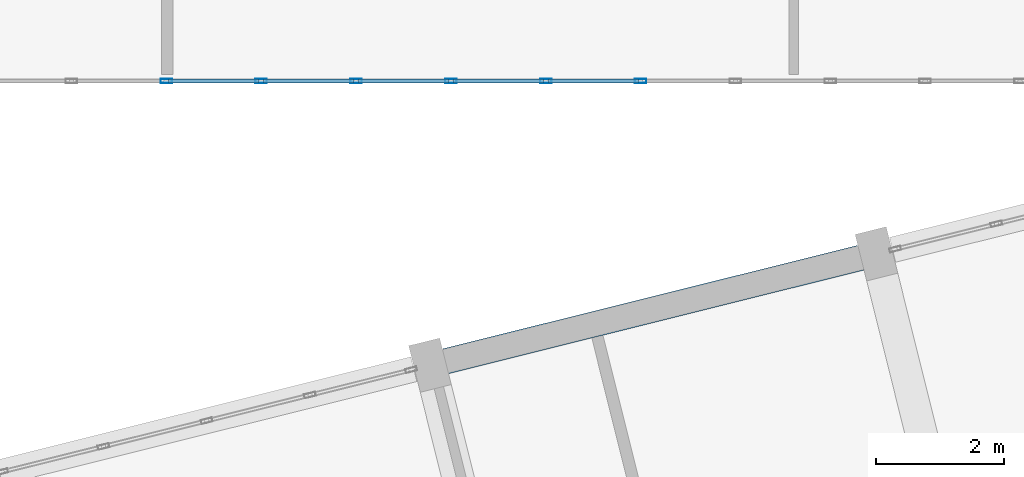
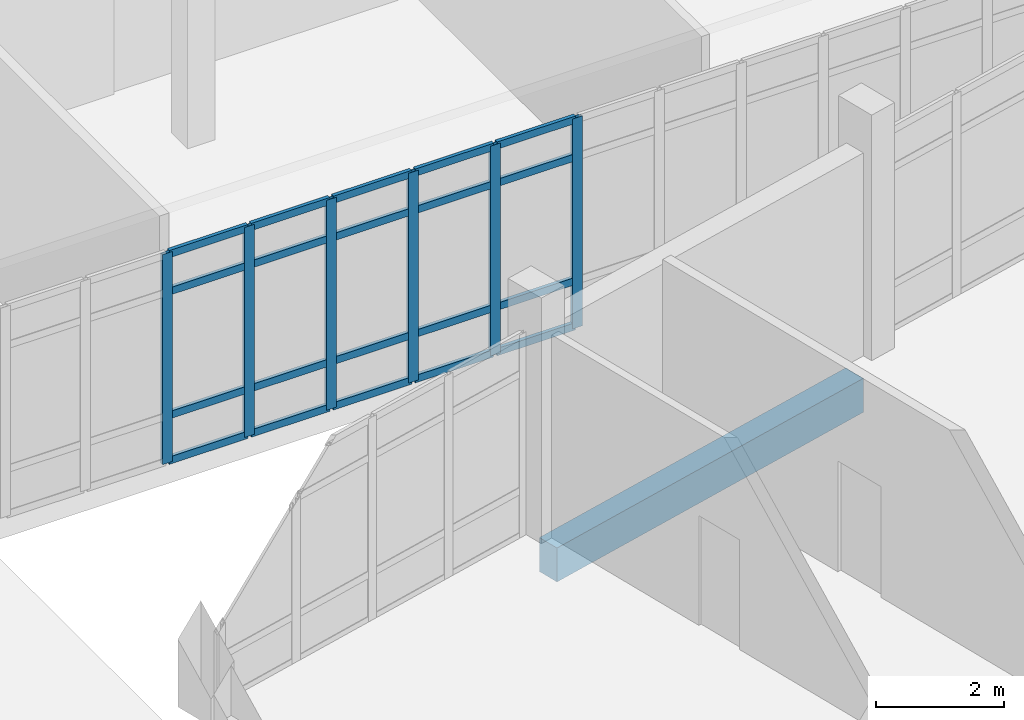
# One storey, part 53 of 173: 26 members, 1 beam, 1 element without a shape of its own.
"""IFC4 building model written with IfcOpenShell, lengths in metres."""

import ifcopenshell
import ifcopenshell.guid

model = None  # the IFC model being written
_history = None  # IfcOwnerHistory: only IFC2X3 demands one
_inside = {}  # id of a spatial element -> (the spatial element, [elements in it])
_under = {}  # id of a project, library or spatial element -> (it, [spatial elements below it])
_declared = {}  # id of a project -> (the project, [libraries it declares])
_typed = {}  # id of a type object -> (the type object, [elements of that type])
_made_of = {}  # id of a material, layer set ... -> (it, [elements and type objects made of it])


def new_model(schema):
    """Start an empty IFC model of exactly this schema.

    Asked for "IFC4X3", IfcOpenShell would pick the latest addendum, in which some entities
    have other attributes; the version numbers below select the first issue.
    IFC2X3 requires an IfcOwnerHistory on every rooted entity: one is made here for all.
    """
    global model, _history
    if schema == "IFC4X3":
        model = ifcopenshell.file(schema_version=(4, 3, 0, 0))
    else:
        model = ifcopenshell.file(schema=schema)
    _inside.clear()
    _under.clear()
    _declared.clear()
    _typed.clear()
    _made_of.clear()
    _history = None
    if model.schema == "IFC2X3":
        org = make("IfcOrganization", Name="unknown")
        user = make(
            "IfcPersonAndOrganization",
            ThePerson=make("IfcPerson", FamilyName="unknown"),
            TheOrganization=org,
        )
        app = make(
            "IfcApplication",
            ApplicationDeveloper=org,
            Version="unknown",
            ApplicationFullName="unknown",
            ApplicationIdentifier="unknown",
        )
        _history = make(
            "IfcOwnerHistory",
            OwningUser=user,
            OwningApplication=app,
            ChangeAction="ADDED",
            CreationDate=0,
        )
    return model


def make(cls, **values):
    """One entity of the class cls with the attributes given. An attribute that is None is left unset."""
    return model.create_entity(
        cls, **{name: value for name, value in values.items() if value is not None}
    )


def rooted(cls, **values):
    """An entity with a GlobalId (a new one), such as an element, a storey or a relation."""
    return make(cls, GlobalId=ifcopenshell.guid.new(), OwnerHistory=_history, **values)


def si_unit(unit_type, name, prefix=None):
    """IfcSIUnit, for example si_unit("LENGTHUNIT", "METRE", prefix="MILLI")."""
    return make("IfcSIUnit", UnitType=unit_type, Prefix=prefix, Name=name)


def assignment(units):
    """IfcUnitAssignment: the units of a project."""
    return None if units is None else make("IfcUnitAssignment", Units=units)


def point(xyz):
    """IfcCartesianPoint."""
    return None if xyz is None else make("IfcCartesianPoint", Coordinates=xyz)


def direction(xyz):
    """IfcDirection."""
    return None if xyz is None else make("IfcDirection", DirectionRatios=xyz)


def frame(location, z_axis=None, x_axis=None):
    """IfcAxis2Placement3D, a coordinate frame: its origin and axes. An axis left out is left unset."""
    return make(
        "IfcAxis2Placement3D",
        Location=point(location),
        Axis=direction(z_axis),
        RefDirection=direction(x_axis),
    )


def frame_2d(location, x_axis=None):
    """IfcAxis2Placement2D, a coordinate frame in the plane: its origin and x axis."""
    return make(
        "IfcAxis2Placement2D", Location=point(location), RefDirection=direction(x_axis)
    )


def origin():
    """The frame at (0, 0, 0) with its axes left unset."""
    return frame((0.0, 0.0, 0.0))


def origin_2d():
    """The frame at (0, 0) in the plane with its x axis left unset."""
    return frame_2d((0.0, 0.0))


def place(relative_to, where):
    """IfcLocalPlacement: puts the frame where relative to a parent placement (None: the world)."""
    return make(
        "IfcLocalPlacement", PlacementRelTo=relative_to, RelativePlacement=where
    )


def context(
    kind, dimensions, precision=None, world=None, true_north=None, identifier=None
):
    """IfcGeometricRepresentationContext, for example the 3D "Model" context."""
    return make(
        "IfcGeometricRepresentationContext",
        ContextIdentifier=identifier,
        ContextType=kind,
        CoordinateSpaceDimension=dimensions,
        Precision=precision,
        WorldCoordinateSystem=world,
        TrueNorth=true_north,
    )


def subcontext(parent, identifier, kind, view, scale=None):
    """IfcGeometricRepresentationSubContext, for example "Body" below "Model"."""
    return make(
        "IfcGeometricRepresentationSubContext",
        ContextIdentifier=identifier,
        ContextType=kind,
        ParentContext=parent,
        TargetScale=scale,
        TargetView=view,
    )


def project(units=None, contexts=None):
    """IfcProject with its units and contexts."""
    return rooted(
        "IfcProject",
        Name="project",
        RepresentationContexts=contexts,
        UnitsInContext=assignment(units),
    )


def spatial(cls, under=None, at=None, **own):
    """A site, building, storey or space (cls), placed at a placement, below another one or the project."""
    s = rooted(cls, ObjectPlacement=at, **own)
    if under is not None:
        _under.setdefault(under.id(), (under, []))[1].append(s)
    return s


def profile(cls, at=None, kind="AREA", **sizes):
    """A parametric profile (cls). Its sizes go by their IFC names, for example OverallWidth=200.0."""
    return make(cls, ProfileType=kind, Position=at, **sizes)


def rectangle(**sizes):
    """IfcRectangleProfileDef."""
    return profile("IfcRectangleProfileDef", **sizes)


def hollow_rectangle(**sizes):
    """IfcRectangleHollowProfileDef."""
    return profile("IfcRectangleHollowProfileDef", **sizes)


def extrude(swept, where, along, depth):
    """IfcExtrudedAreaSolid: the profile swept, set in the frame where, extruded along a direction by depth."""
    return make(
        "IfcExtrudedAreaSolid",
        SweptArea=swept,
        Position=where,
        ExtrudedDirection=direction(along),
        Depth=depth,
    )


def shape(context_of_items, identifier, shape_type, items):
    """IfcShapeRepresentation: the items that make up one representation, for example the "Body"."""
    return make(
        "IfcShapeRepresentation",
        ContextOfItems=context_of_items,
        RepresentationIdentifier=identifier,
        RepresentationType=shape_type,
        Items=items,
    )


def material(Name=None, Category=None):
    """IfcMaterial."""
    return make("IfcMaterial", Name=Name, Category=Category)


def layer(
    of_material, thickness, ventilated=None, Name=None, Category=None, Priority=None
):
    """IfcMaterialLayer: one layer of a wall or slab, of a material (None: an air gap)."""
    return make(
        "IfcMaterialLayer",
        Material=of_material,
        LayerThickness=thickness,
        IsVentilated=ventilated,
        Name=Name,
        Category=Category,
        Priority=Priority,
    )


def layer_set(layers, Name=None):
    """IfcMaterialLayerSet."""
    return make("IfcMaterialLayerSet", MaterialLayers=layers, LayerSetName=Name)


def material_profile(
    of_material, cross_section, Name=None, Category=None, Priority=None
):
    """IfcMaterialProfile: a cross section and its material."""
    return make(
        "IfcMaterialProfile",
        Name=Name,
        Material=of_material,
        Profile=cross_section,
        Priority=Priority,
        Category=Category,
    )


def profile_set(profiles, Name=None, composite=None):
    """IfcMaterialProfileSet."""
    return make(
        "IfcMaterialProfileSet",
        Name=Name,
        MaterialProfiles=profiles,
        CompositeProfile=composite,
    )


def made_of(thing, what):
    """Note that an element or type object is made of a material, layer set ...; save() writes the relation."""
    if what is not None:
        _made_of.setdefault(what.id(), (what, []))[1].append(thing)
    return thing


def type_object(cls, material=None, **own):
    """A type object (cls), such as IfcWallType, which elements share."""
    return made_of(rooted(cls, **own), material)


def element(
    cls,
    number,
    at=None,
    inside=None,
    cuts=None,
    type_object=None,
    material=None,
    context=None,
    identifier="Body",
    shape_type=None,
    held_by="IfcProductDefinitionShape",
    body=None,
    shapes=None,
    **own,
):
    """One element of the class cls, such as IfcWall. Its Tag is "e" and its number.

    at: its placement. inside: the storey or other place that contains it. cuts: it is an
    opening in that element (IfcRelVoidsElement). A single representation is given by context,
    identifier, shape_type and body (its items); several are given by shapes. held_by: the class
    of the entity that holds the representations. save() writes the other relations.
    """
    e = rooted(cls, Tag="e%d" % number, ObjectPlacement=at, **own)
    if body is not None:
        shapes = [shape(context, identifier, shape_type, body)]
    if shapes is not None:
        e.Representation = make(held_by, Representations=shapes)
    if inside is not None:
        _inside.setdefault(inside.id(), (inside, []))[1].append(e)
    if cuts is not None:
        rooted(
            "IfcRelVoidsElement", RelatingBuildingElement=cuts, RelatedOpeningElement=e
        )
    if type_object is not None:
        _typed.setdefault(type_object.id(), (type_object, []))[1].append(e)
    return made_of(e, material)


def aggregate(whole, parts):
    """IfcRelAggregates: a whole, such as a stair, and the parts it consists of."""
    return rooted("IfcRelAggregates", RelatingObject=whole, RelatedObjects=parts)


def save(model, path):
    """Write the relations noted so far, then the file.

    IfcRelAggregates (storeys below a building ...), IfcRelContainedInSpatialStructure (elements
    in a storey), IfcRelDefinesByType, IfcRelAssociatesMaterial and IfcRelDeclares: one each for
    every whole, place, type object, material and project.
    """
    for whole, parts in _under.values():
        aggregate(whole, parts)
    for where, things in _inside.values():
        rooted(
            "IfcRelContainedInSpatialStructure",
            RelatedElements=things,
            RelatingStructure=where,
        )
    for kind, things in _typed.values():
        rooted("IfcRelDefinesByType", RelatedObjects=things, RelatingType=kind)
    for what, things in _made_of.values():
        rooted("IfcRelAssociatesMaterial", RelatedObjects=things, RelatingMaterial=what)
    for by, libraries in _declared.values():
        rooted("IfcRelDeclares", RelatingContext=by, RelatedDefinitions=libraries)
    model.write(path)


model = new_model("IFC4")

# Units and contexts
model_context = context("Model", 3, precision=1e-05, world=origin(), true_north=direction((0.0, 1.0)))
body_context = subcontext(model_context, "Body", "Model", "MODEL_VIEW")
ifc_project = project(units=[si_unit("LENGTHUNIT", "METRE"), si_unit("AREAUNIT", "SQUARE_METRE"), si_unit("VOLUMEUNIT", "CUBIC_METRE"), si_unit("PLANEANGLEUNIT", "RADIAN"), si_unit("MASSUNIT", "GRAM", prefix="KILO")], contexts=[model_context])

# Site, building, storey
site_placement = place(None, origin())
site = spatial("IfcSite", under=ifc_project, at=site_placement, CompositionType="ELEMENT")
building_placement = place(site_placement, origin())
building = spatial("IfcBuilding", under=site, at=building_placement, Name="Mawjan Specialist Oncology Clinic", CompositionType="ELEMENT")
storey_placement = place(building_placement, origin())
storey = spatial("IfcBuildingStorey", under=building, at=storey_placement, Name="L00", CompositionType="ELEMENT", Elevation=0.0)

# Curtain wall, members
ifc_material_1 = material(Name="Unitised spectrally selective aluminium curtain wall", Category="aluminium")
ifc_layer = layer(ifc_material_1, 0.179931640625, Name="Unitised spectrally selective aluminium curtain wall", Category="aluminium")
ifc_layer_set = layer_set([ifc_layer], Name="Unitised spectrally selective aluminium curtain wall")
curtain_wall_type = type_object("IfcCurtainWallType", Name="CW-20", PredefinedType="NOTDEFINED", material=ifc_layer_set)
curtain_wall_placement = place(storey_placement, origin())
curtain_wall = element("IfcCurtainWall", 1, at=curtain_wall_placement, inside=storey, type_object=curtain_wall_type, Name="L00 Unitised Curtain Wall CW-L00-036", PredefinedType="NOTDEFINED")
ifc_material_2 = material(Name="Thermally broken aluminium 6063-T6", Category="aluminium")
ifc_material_profile_1 = material_profile(ifc_material_2, hollow_rectangle(XDim=0.06494140625, YDim=0.179931640625, WallThickness=0.00390625, at=origin_2d()), Name="ALU MULLION 180x65x4", Category="aluminium")
ifc_profile_set_1 = profile_set([ifc_material_profile_1], Name="Thermally broken aluminium 6063-T6")
member_type_1 = type_object("IfcMemberType", Name="CW-M180", PredefinedType="MULLION", material=ifc_profile_set_1)
member_1_placement = place(storey_placement, frame((126.605224609375, 45.800048828125, 0.0), z_axis=(0.0, 0.0, 1.0), x_axis=(0.0, -1.0, 0.0)))
member_1 = element("IfcMember", 2, at=member_1_placement, type_object=member_type_1, Name="CW-20 mullion 9", PredefinedType="MULLION", context=body_context, shape_type="SweptSolid", body=[
    extrude(hollow_rectangle(XDim=0.06494140625, YDim=0.179931640625, WallThickness=0.00390625, at=origin_2d()), origin(), (0.0, 0.0, 1.0), 4.01953125),
])
member_2_placement = place(storey_placement, frame((125.12109375, 45.800048828125, 0.0), z_axis=(0.0, 0.0, 1.0), x_axis=(0.0, -1.0, 0.0)))
member_2 = element("IfcMember", 3, at=member_2_placement, type_object=member_type_1, Name="CW-20 mullion 10", PredefinedType="MULLION", context=body_context, shape_type="SweptSolid", body=[
    extrude(hollow_rectangle(XDim=0.06494140625, YDim=0.179931640625, WallThickness=0.00390625, at=origin_2d()), origin(), (0.0, 0.0, 1.0), 4.01953125),
])
member_3_placement = place(storey_placement, frame((123.63671875, 45.800048828125, 0.0), z_axis=(0.0, 0.0, 1.0), x_axis=(0.0, -1.0, 0.0)))
member_3 = element("IfcMember", 4, at=member_3_placement, type_object=member_type_1, Name="CW-20 mullion 11", PredefinedType="MULLION", context=body_context, shape_type="SweptSolid", body=[
    extrude(hollow_rectangle(XDim=0.06494140625, YDim=0.179931640625, WallThickness=0.00390625, at=origin_2d()), origin(), (0.0, 0.0, 1.0), 4.01953125),
])
member_4_placement = place(storey_placement, frame((122.15234375, 45.800048828125, 0.0), z_axis=(0.0, 0.0, 1.0), x_axis=(0.0, -1.0, 0.0)))
member_4 = element("IfcMember", 5, at=member_4_placement, type_object=member_type_1, Name="CW-20 mullion 12", PredefinedType="MULLION", context=body_context, shape_type="SweptSolid", body=[
    extrude(hollow_rectangle(XDim=0.06494140625, YDim=0.179931640625, WallThickness=0.00390625, at=origin_2d()), origin(), (0.0, 0.0, 1.0), 4.01953125),
])
member_5_placement = place(storey_placement, frame((120.66796875, 45.800048828125, 0.0), z_axis=(0.0, 0.0, 1.0), x_axis=(0.0, -1.0, 0.0)))
member_5 = element("IfcMember", 6, at=member_5_placement, type_object=member_type_1, Name="CW-20 mullion 13", PredefinedType="MULLION", context=body_context, shape_type="SweptSolid", body=[
    extrude(hollow_rectangle(XDim=0.06494140625, YDim=0.179931640625, WallThickness=0.00390625, at=origin_2d()), origin(), (0.0, 0.0, 1.0), 4.01953125),
])
member_6_placement = place(storey_placement, frame((119.18359375, 45.800048828125, 0.0), z_axis=(0.0, 0.0, 1.0), x_axis=(0.0, -1.0, 0.0)))
member_6 = element("IfcMember", 7, at=member_6_placement, type_object=member_type_1, Name="CW-20 mullion 14", PredefinedType="MULLION", context=body_context, shape_type="SweptSolid", body=[
    extrude(hollow_rectangle(XDim=0.06494140625, YDim=0.179931640625, WallThickness=0.00390625, at=origin_2d()), origin(), (0.0, 0.0, 1.0), 4.01953125),
])
ifc_material_3 = material(Name="Thermally broken aluminium 6063-T6", Category="aluminium")
ifc_material_profile_2 = material_profile(ifc_material_3, hollow_rectangle(XDim=0.06494140625, YDim=0.139892578125, WallThickness=0.00390625, at=origin_2d()), Name="ALU TRANSOM 140x65x4", Category="aluminium")
ifc_profile_set_2 = profile_set([ifc_material_profile_2], Name="Thermally broken aluminium 6063-T6")
member_type_2 = type_object("IfcMemberType", Name="CW-T140", PredefinedType="USERDEFINED", material=ifc_profile_set_2)
member_7_placement = place(storey_placement, frame((126.57275390625, 45.800048828125, 0.032470703125), z_axis=(-1.0, 0.0, 0.0), x_axis=(0.0, -1.0, 0.0)))
member_7 = element("IfcMember", 8, at=member_7_placement, type_object=member_type_2, Name="CW-20 transom 9.1", ObjectType="TRANSOM", PredefinedType="USERDEFINED", context=body_context, shape_type="SweptSolid", body=[
    extrude(hollow_rectangle(XDim=0.06494140625, YDim=0.139892578125, WallThickness=0.00390625, at=origin_2d()), origin(), (0.0, 0.0, 1.0), 1.419189453125),
])
member_8_placement = place(storey_placement, frame((126.57275390625, 45.800048828125, 0.89990234375), z_axis=(-1.0, 0.0, 0.0), x_axis=(0.0, -1.0, 0.0)))
member_8 = element("IfcMember", 9, at=member_8_placement, type_object=member_type_2, Name="CW-20 transom 9.2", ObjectType="TRANSOM", PredefinedType="USERDEFINED", context=body_context, shape_type="SweptSolid", body=[
    extrude(hollow_rectangle(XDim=0.06494140625, YDim=0.139892578125, WallThickness=0.00390625, at=origin_2d()), origin(), (0.0, 0.0, 1.0), 1.419189453125),
])
member_9_placement = place(storey_placement, frame((126.57275390625, 45.800048828125, 3.26953125), z_axis=(-1.0, 0.0, 0.0), x_axis=(0.0, -1.0, 0.0)))
member_9 = element("IfcMember", 10, at=member_9_placement, type_object=member_type_2, Name="CW-20 transom 9.3", ObjectType="TRANSOM", PredefinedType="USERDEFINED", context=body_context, shape_type="SweptSolid", body=[
    extrude(hollow_rectangle(XDim=0.06494140625, YDim=0.139892578125, WallThickness=0.00390625, at=origin_2d()), origin(), (0.0, 0.0, 1.0), 1.419189453125),
])
member_10_placement = place(storey_placement, frame((126.57275390625, 45.800048828125, 3.987060546875), z_axis=(-1.0, 0.0, 0.0), x_axis=(0.0, -1.0, 0.0)))
member_10 = element("IfcMember", 11, at=member_10_placement, type_object=member_type_2, Name="CW-20 transom 9.4", ObjectType="TRANSOM", PredefinedType="USERDEFINED", context=body_context, shape_type="SweptSolid", body=[
    extrude(hollow_rectangle(XDim=0.06494140625, YDim=0.139892578125, WallThickness=0.00390625, at=origin_2d()), origin(), (0.0, 0.0, 1.0), 1.419189453125),
])
member_11_placement = place(storey_placement, frame((125.08837890625, 45.800048828125, 0.032470703125), z_axis=(-1.0, 0.0, 0.0), x_axis=(0.0, -1.0, 0.0)))
member_11 = element("IfcMember", 12, at=member_11_placement, type_object=member_type_2, Name="CW-20 transom 10.1", ObjectType="TRANSOM", PredefinedType="USERDEFINED", context=body_context, shape_type="SweptSolid", body=[
    extrude(hollow_rectangle(XDim=0.06494140625, YDim=0.139892578125, WallThickness=0.00390625, at=origin_2d()), origin(), (0.0, 0.0, 1.0), 1.419189453125),
])
member_12_placement = place(storey_placement, frame((125.08837890625, 45.800048828125, 0.89990234375), z_axis=(-1.0, 0.0, 0.0), x_axis=(0.0, -1.0, 0.0)))
member_12 = element("IfcMember", 13, at=member_12_placement, type_object=member_type_2, Name="CW-20 transom 10.2", ObjectType="TRANSOM", PredefinedType="USERDEFINED", context=body_context, shape_type="SweptSolid", body=[
    extrude(hollow_rectangle(XDim=0.06494140625, YDim=0.139892578125, WallThickness=0.00390625, at=origin_2d()), origin(), (0.0, 0.0, 1.0), 1.419189453125),
])
member_13_placement = place(storey_placement, frame((125.08837890625, 45.800048828125, 3.26953125), z_axis=(-1.0, 0.0, 0.0), x_axis=(0.0, -1.0, 0.0)))
member_13 = element("IfcMember", 14, at=member_13_placement, type_object=member_type_2, Name="CW-20 transom 10.3", ObjectType="TRANSOM", PredefinedType="USERDEFINED", context=body_context, shape_type="SweptSolid", body=[
    extrude(hollow_rectangle(XDim=0.06494140625, YDim=0.139892578125, WallThickness=0.00390625, at=origin_2d()), origin(), (0.0, 0.0, 1.0), 1.419189453125),
])
member_14_placement = place(storey_placement, frame((125.08837890625, 45.800048828125, 3.987060546875), z_axis=(-1.0, 0.0, 0.0), x_axis=(0.0, -1.0, 0.0)))
member_14 = element("IfcMember", 15, at=member_14_placement, type_object=member_type_2, Name="CW-20 transom 10.4", ObjectType="TRANSOM", PredefinedType="USERDEFINED", context=body_context, shape_type="SweptSolid", body=[
    extrude(hollow_rectangle(XDim=0.06494140625, YDim=0.139892578125, WallThickness=0.00390625, at=origin_2d()), origin(), (0.0, 0.0, 1.0), 1.419189453125),
])
member_15_placement = place(storey_placement, frame((123.604248046875, 45.800048828125, 0.032470703125), z_axis=(-1.0, 0.0, 0.0), x_axis=(0.0, -1.0, 0.0)))
member_15 = element("IfcMember", 16, at=member_15_placement, type_object=member_type_2, Name="CW-20 transom 11.1", ObjectType="TRANSOM", PredefinedType="USERDEFINED", context=body_context, shape_type="SweptSolid", body=[
    extrude(hollow_rectangle(XDim=0.06494140625, YDim=0.139892578125, WallThickness=0.00390625, at=origin_2d()), origin(), (0.0, 0.0, 1.0), 1.41943359375),
])
member_16_placement = place(storey_placement, frame((123.604248046875, 45.800048828125, 0.89990234375), z_axis=(-1.0, 0.0, 0.0), x_axis=(0.0, -1.0, 0.0)))
member_16 = element("IfcMember", 17, at=member_16_placement, type_object=member_type_2, Name="CW-20 transom 11.2", ObjectType="TRANSOM", PredefinedType="USERDEFINED", context=body_context, shape_type="SweptSolid", body=[
    extrude(hollow_rectangle(XDim=0.06494140625, YDim=0.139892578125, WallThickness=0.00390625, at=origin_2d()), origin(), (0.0, 0.0, 1.0), 1.41943359375),
])
member_17_placement = place(storey_placement, frame((123.604248046875, 45.800048828125, 3.26953125), z_axis=(-1.0, 0.0, 0.0), x_axis=(0.0, -1.0, 0.0)))
member_17 = element("IfcMember", 18, at=member_17_placement, type_object=member_type_2, Name="CW-20 transom 11.3", ObjectType="TRANSOM", PredefinedType="USERDEFINED", context=body_context, shape_type="SweptSolid", body=[
    extrude(hollow_rectangle(XDim=0.06494140625, YDim=0.139892578125, WallThickness=0.00390625, at=origin_2d()), origin(), (0.0, 0.0, 1.0), 1.41943359375),
])
member_18_placement = place(storey_placement, frame((123.604248046875, 45.800048828125, 3.987060546875), z_axis=(-1.0, 0.0, 0.0), x_axis=(0.0, -1.0, 0.0)))
member_18 = element("IfcMember", 19, at=member_18_placement, type_object=member_type_2, Name="CW-20 transom 11.4", ObjectType="TRANSOM", PredefinedType="USERDEFINED", context=body_context, shape_type="SweptSolid", body=[
    extrude(hollow_rectangle(XDim=0.06494140625, YDim=0.139892578125, WallThickness=0.00390625, at=origin_2d()), origin(), (0.0, 0.0, 1.0), 1.41943359375),
])
member_19_placement = place(storey_placement, frame((122.119873046875, 45.800048828125, 0.032470703125), z_axis=(-1.0, 0.0, 0.0), x_axis=(0.0, -1.0, 0.0)))
member_19 = element("IfcMember", 20, at=member_19_placement, type_object=member_type_2, Name="CW-20 transom 12.1", ObjectType="TRANSOM", PredefinedType="USERDEFINED", context=body_context, shape_type="SweptSolid", body=[
    extrude(hollow_rectangle(XDim=0.06494140625, YDim=0.139892578125, WallThickness=0.00390625, at=origin_2d()), origin(), (0.0, 0.0, 1.0), 1.41943359375),
])
member_20_placement = place(storey_placement, frame((122.119873046875, 45.800048828125, 0.89990234375), z_axis=(-1.0, 0.0, 0.0), x_axis=(0.0, -1.0, 0.0)))
member_20 = element("IfcMember", 21, at=member_20_placement, type_object=member_type_2, Name="CW-20 transom 12.2", ObjectType="TRANSOM", PredefinedType="USERDEFINED", context=body_context, shape_type="SweptSolid", body=[
    extrude(hollow_rectangle(XDim=0.06494140625, YDim=0.139892578125, WallThickness=0.00390625, at=origin_2d()), origin(), (0.0, 0.0, 1.0), 1.41943359375),
])
member_21_placement = place(storey_placement, frame((122.119873046875, 45.800048828125, 3.26953125), z_axis=(-1.0, 0.0, 0.0), x_axis=(0.0, -1.0, 0.0)))
member_21 = element("IfcMember", 22, at=member_21_placement, type_object=member_type_2, Name="CW-20 transom 12.3", ObjectType="TRANSOM", PredefinedType="USERDEFINED", context=body_context, shape_type="SweptSolid", body=[
    extrude(hollow_rectangle(XDim=0.06494140625, YDim=0.139892578125, WallThickness=0.00390625, at=origin_2d()), origin(), (0.0, 0.0, 1.0), 1.41943359375),
])
member_22_placement = place(storey_placement, frame((122.119873046875, 45.800048828125, 3.987060546875), z_axis=(-1.0, 0.0, 0.0), x_axis=(0.0, -1.0, 0.0)))
member_22 = element("IfcMember", 23, at=member_22_placement, type_object=member_type_2, Name="CW-20 transom 12.4", ObjectType="TRANSOM", PredefinedType="USERDEFINED", context=body_context, shape_type="SweptSolid", body=[
    extrude(hollow_rectangle(XDim=0.06494140625, YDim=0.139892578125, WallThickness=0.00390625, at=origin_2d()), origin(), (0.0, 0.0, 1.0), 1.41943359375),
])
member_23_placement = place(storey_placement, frame((120.635498046875, 45.800048828125, 0.032470703125), z_axis=(-1.0, 0.0, 0.0), x_axis=(0.0, -1.0, 0.0)))
member_23 = element("IfcMember", 24, at=member_23_placement, type_object=member_type_2, Name="CW-20 transom 13.1", ObjectType="TRANSOM", PredefinedType="USERDEFINED", context=body_context, shape_type="SweptSolid", body=[
    extrude(hollow_rectangle(XDim=0.06494140625, YDim=0.139892578125, WallThickness=0.00390625, at=origin_2d()), origin(), (0.0, 0.0, 1.0), 1.41943359375),
])
member_24_placement = place(storey_placement, frame((120.635498046875, 45.800048828125, 0.89990234375), z_axis=(-1.0, 0.0, 0.0), x_axis=(0.0, -1.0, 0.0)))
member_24 = element("IfcMember", 25, at=member_24_placement, type_object=member_type_2, Name="CW-20 transom 13.2", ObjectType="TRANSOM", PredefinedType="USERDEFINED", context=body_context, shape_type="SweptSolid", body=[
    extrude(hollow_rectangle(XDim=0.06494140625, YDim=0.139892578125, WallThickness=0.00390625, at=origin_2d()), origin(), (0.0, 0.0, 1.0), 1.41943359375),
])
member_25_placement = place(storey_placement, frame((120.635498046875, 45.800048828125, 3.26953125), z_axis=(-1.0, 0.0, 0.0), x_axis=(0.0, -1.0, 0.0)))
member_25 = element("IfcMember", 26, at=member_25_placement, type_object=member_type_2, Name="CW-20 transom 13.3", ObjectType="TRANSOM", PredefinedType="USERDEFINED", context=body_context, shape_type="SweptSolid", body=[
    extrude(hollow_rectangle(XDim=0.06494140625, YDim=0.139892578125, WallThickness=0.00390625, at=origin_2d()), origin(), (0.0, 0.0, 1.0), 1.41943359375),
])
member_26_placement = place(storey_placement, frame((120.635498046875, 45.800048828125, 3.987060546875), z_axis=(-1.0, 0.0, 0.0), x_axis=(0.0, -1.0, 0.0)))
member_26 = element("IfcMember", 27, at=member_26_placement, type_object=member_type_2, Name="CW-20 transom 13.4", ObjectType="TRANSOM", PredefinedType="USERDEFINED", context=body_context, shape_type="SweptSolid", body=[
    extrude(hollow_rectangle(XDim=0.06494140625, YDim=0.139892578125, WallThickness=0.00390625, at=origin_2d()), origin(), (0.0, 0.0, 1.0), 1.41943359375),
])
aggregate(curtain_wall, [member_1, member_2, member_3, member_4, member_5, member_6, member_7, member_8, member_9, member_10, member_11, member_12, member_13, member_14, member_15, member_16, member_17, member_18, member_19, member_20, member_21, member_22, member_23, member_24, member_25, member_26])

# Beam
ifc_material_4 = material(Name="Concrete C45/55", Category="concrete")
ifc_material_profile_3 = material_profile(ifc_material_4, rectangle(XDim=0.39990234375, YDim=0.64990234375, at=origin_2d()), Name="RC BM 400x650", Category="concrete")
ifc_profile_set_3 = profile_set([ifc_material_profile_3], Name="Concrete C45/55")
beam_type = type_object("IfcBeamType", Name="SP-400x650", PredefinedType="SPANDREL", material=ifc_profile_set_3)
beam_placement = place(storey_placement, frame((123.5615234375, 41.41650390625, -0.7451171875), z_axis=(0.970290657182, 0.241942225716, 0.0), x_axis=(-0.241942225716, 0.970290657182, 0.0)))
element("IfcBeam", 28, at=beam_placement, inside=storey, type_object=beam_type, Name="L00 Spandrel Beam BM-L00-0214", PredefinedType="SPANDREL", context=body_context, shape_type="SweptSolid", body=[
    extrude(rectangle(XDim=0.39990234375, YDim=0.64990234375, at=origin_2d()), origin(), (0.0, 0.0, 1.0), 6.68017578125),
])

save(model, "model.ifc")
